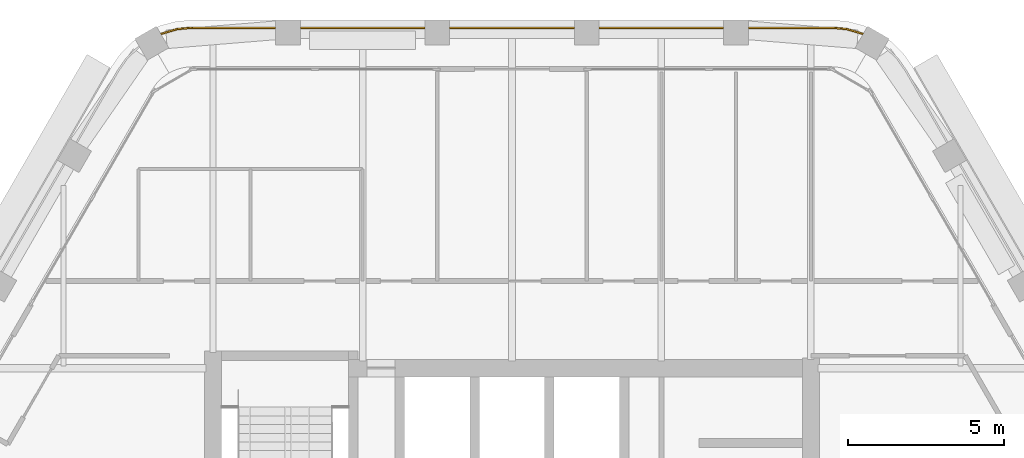
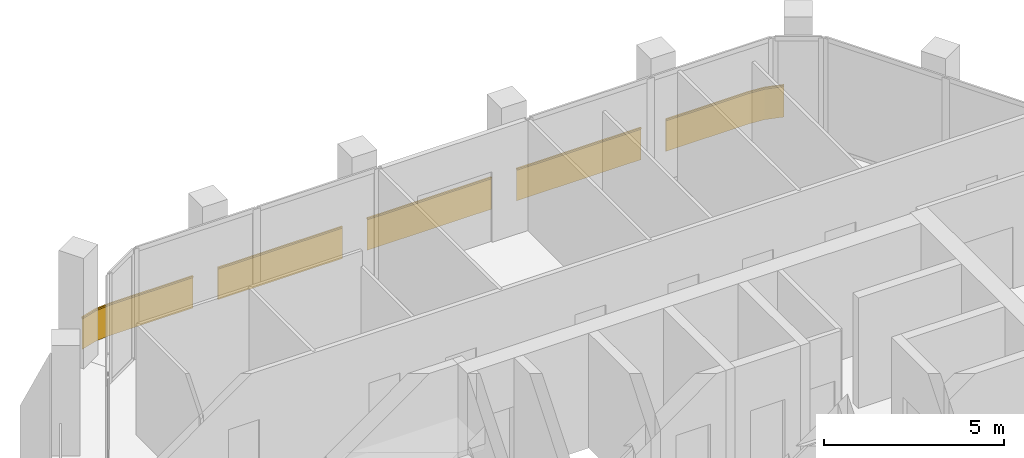
# One storey, part 13 of 13: 1 railing.
"""IFC4 building model written with IfcOpenShell, lengths in metres."""

from ifc_helpers import new_model, si_unit, direction, frame, frame_2d, origin, origin_2d, place, context, subcontext, project, spatial, rectangle, extrude, material, type_object, element, save


model = new_model("IFC4")

# Units and contexts
model_context = context("Model", 3, precision=1e-05, world=origin(), true_north=direction((0.0, 1.0)))
body_context = subcontext(model_context, "Body", "Model", "MODEL_VIEW")
ifc_project = project(units=[si_unit("LENGTHUNIT", "METRE"), si_unit("AREAUNIT", "SQUARE_METRE"), si_unit("VOLUMEUNIT", "CUBIC_METRE"), si_unit("PLANEANGLEUNIT", "RADIAN"), si_unit("MASSUNIT", "GRAM", prefix="KILO")], contexts=[model_context])

# Site, building, storey
site_placement = place(None, origin())
site = spatial("IfcSite", under=ifc_project, at=site_placement, CompositionType="ELEMENT")
building_placement = place(site_placement, origin())
building = spatial("IfcBuilding", under=site, at=building_placement, Name="Kolab Exchange Tower", CompositionType="ELEMENT")
storey_placement = place(building_placement, frame((0.0, 0.0, 226.699951171875)))
storey = spatial("IfcBuildingStorey", under=building, at=storey_placement, Name="L49", CompositionType="ELEMENT", Elevation=226.699951171875)

# Railing
ifc_material = material(Name="Steel S235", Category="steel")
railing_type = type_object("IfcRailingType", Name="GUARD 1100 GLASS BALUSTRADE AND STEEL TOP RAIL", PredefinedType="GUARDRAIL", material=ifc_material)
railing_placement = place(storey_placement, frame((11.280517578125, 20.335205078125, 0.0)))
element("IfcRailing", 1, at=railing_placement, inside=storey, type_object=railing_type, Name="Guard", PredefinedType="GUARDRAIL", context=body_context, shape_type="SweptSolid", body=[
    extrude(rectangle(XDim=0.05, YDim=0.05, at=origin_2d()), frame((0.0, 0.0, 1.0751953125), z_axis=(-0.959212061764, 0.282687496304, 0.0), x_axis=(-0.282687496304, -0.959212061764, 0.0)), (0.0, 0.0, 1.0), 0.557861328125),
    extrude(rectangle(XDim=0.012, YDim=1.05009765625, at=frame_2d((0.0, 0.525146484375))), frame((0.0, 0.0, 0.0), z_axis=(-0.959212061764, 0.282687496304, 0.0), x_axis=(-0.282687496304, -0.959212061764, 0.0)), (0.0, 0.0, 1.0), 0.557861328125),
    extrude(rectangle(XDim=0.05, YDim=0.05, at=origin_2d()), frame((-0.53515625, 0.15771484375, 1.0751953125), z_axis=(-0.996196482496, 0.087135344505, 0.0), x_axis=(-0.087135344505, -0.996196482496, 0.0)), (0.0, 0.0, 1.0), 0.47900390625),
    extrude(rectangle(XDim=0.012, YDim=1.05009765625, at=frame_2d((0.0, 0.525146484375))), frame((-0.53515625, 0.15771484375, 0.0), z_axis=(-0.996196482496, 0.087135344505, 0.0), x_axis=(-0.087135344505, -0.996196482496, 0.0)), (0.0, 0.0, 1.0), 0.47900390625),
    extrude(rectangle(XDim=0.05, YDim=0.05, at=origin_2d()), frame((-1.012451171875, 0.199462890625, 1.0751953125), z_axis=(-1.0, 0.0, 0.0), x_axis=(0.0, -1.0, 0.0)), (0.0, 0.0, 1.0), 2.66796875),
    extrude(rectangle(XDim=0.012, YDim=1.05009765625, at=frame_2d((0.0, 0.525146484375))), frame((-1.012451171875, 0.199462890625, 0.0), z_axis=(-1.0, 0.0, 0.0), x_axis=(0.0, -1.0, 0.0)), (0.0, 0.0, 1.0), 2.66796875),
    extrude(rectangle(XDim=0.05, YDim=0.05, at=origin_2d()), frame((-4.48046875, 0.199462890625, 1.0751953125), z_axis=(-1.0, 0.0, 0.0), x_axis=(0.0, -1.0, 0.0)), (0.0, 0.0, 1.0), 4.0),
    extrude(rectangle(XDim=0.012, YDim=1.05009765625, at=frame_2d((0.0, 0.525146484375))), frame((-4.48046875, 0.199462890625, 0.0), z_axis=(-1.0, 0.0, 0.0), x_axis=(0.0, -1.0, 0.0)), (0.0, 0.0, 1.0), 4.0),
    extrude(rectangle(XDim=0.05, YDim=0.05, at=origin_2d()), frame((-9.280517578125, 0.199462890625, 1.0751953125), z_axis=(-1.0, 0.0, 0.0), x_axis=(0.0, -1.0, 0.0)), (0.0, 0.0, 1.0), 4.0),
    extrude(rectangle(XDim=0.012, YDim=1.05009765625, at=frame_2d((0.0, 0.525146484375))), frame((-9.280517578125, 0.199462890625, 0.0), z_axis=(-1.0, 0.0, 0.0), x_axis=(0.0, -1.0, 0.0)), (0.0, 0.0, 1.0), 4.0),
    extrude(rectangle(XDim=0.05, YDim=0.05, at=origin_2d()), frame((-14.08056640625, 0.199462890625, 1.0751953125), z_axis=(-1.0, 0.0, 0.0), x_axis=(0.0, -1.0, 0.0)), (0.0, 0.0, 1.0), 4.0),
    extrude(rectangle(XDim=0.012, YDim=1.05009765625, at=frame_2d((0.0, 0.525146484375))), frame((-14.08056640625, 0.199462890625, 0.0), z_axis=(-1.0, 0.0, 0.0), x_axis=(0.0, -1.0, 0.0)), (0.0, 0.0, 1.0), 4.0),
    extrude(rectangle(XDim=0.05, YDim=0.05, at=origin_2d()), frame((-18.880615234375, 0.199462890625, 1.0751953125), z_axis=(-1.0, 0.0, 0.0), x_axis=(0.0, -1.0, 0.0)), (0.0, 0.0, 1.0), 2.66796875),
    extrude(rectangle(XDim=0.012, YDim=1.05009765625, at=frame_2d((0.0, 0.525146484375))), frame((-18.880615234375, 0.199462890625, 0.0), z_axis=(-1.0, 0.0, 0.0), x_axis=(0.0, -1.0, 0.0)), (0.0, 0.0, 1.0), 2.66796875),
    extrude(rectangle(XDim=0.05, YDim=0.05, at=origin_2d()), frame((-21.548583984375, 0.199462890625, 1.0751953125), z_axis=(-0.996196482496, -0.087135344505, 0.0), x_axis=(0.087135344505, -0.996196482496, 0.0)), (0.0, 0.0, 1.0), 0.47900390625),
    extrude(rectangle(XDim=0.012, YDim=1.05009765625, at=frame_2d((0.0, 0.525146484375))), frame((-21.548583984375, 0.199462890625, 0.0), z_axis=(-0.996196482496, -0.087135344505, 0.0), x_axis=(0.087135344505, -0.996196482496, 0.0)), (0.0, 0.0, 1.0), 0.47900390625),
    extrude(rectangle(XDim=0.05, YDim=0.05, at=origin_2d()), frame((-22.02587890625, 0.15771484375, 1.0751953125), z_axis=(-0.959212061764, -0.282687496304, 0.0), x_axis=(0.282687496304, -0.959212061764, 0.0)), (0.0, 0.0, 1.0), 0.557861328125),
    extrude(rectangle(XDim=0.012, YDim=1.05009765625, at=frame_2d((0.0, 0.525146484375))), frame((-22.02587890625, 0.15771484375, 0.0), z_axis=(-0.959212061764, -0.282687496304, 0.0), x_axis=(0.282687496304, -0.959212061764, 0.0)), (0.0, 0.0, 1.0), 0.557861328125),
])

save(model, "model.ifc")
